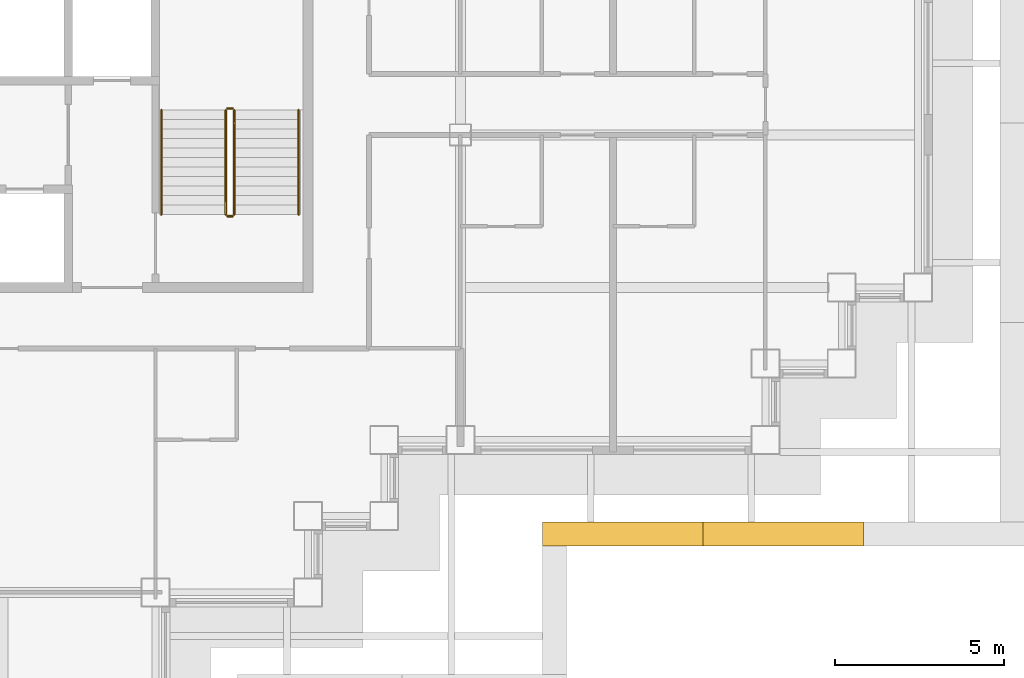
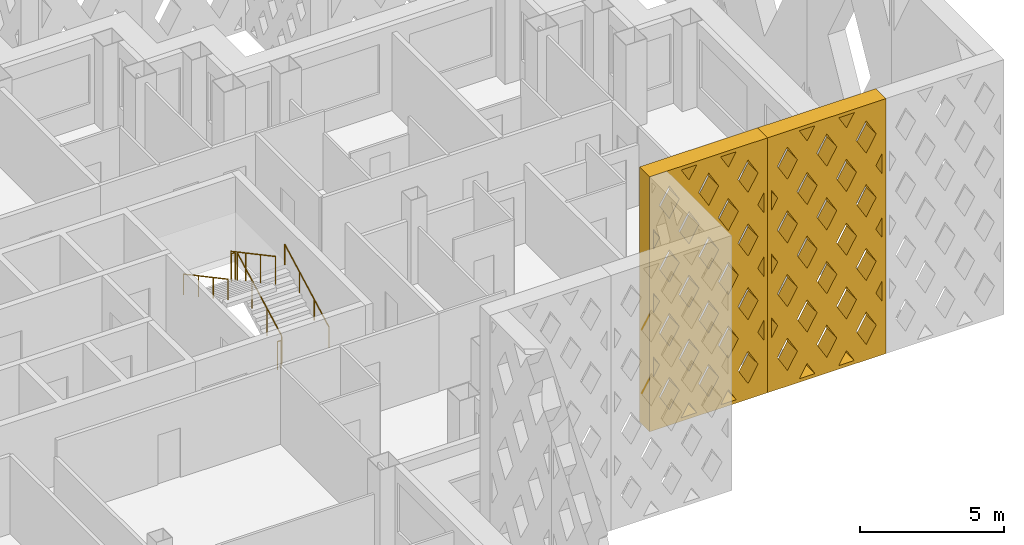
# One storey, part 18 of 21: 6 railings, 2 shading devices.
"""IFC4 building model written with IfcOpenShell, lengths in metres."""

from ifc_helpers import new_model, si_unit, direction, frame, origin, origin_2d, place, context, subcontext, project, spatial, polyline, circle, outline, extrude, material, type_object, element, save


model = new_model("IFC4")

# Units and contexts
model_context = context("Model", 3, precision=1e-05, world=origin(), true_north=direction((0.0, 1.0)))
body_context = subcontext(model_context, "Body", "Model", "MODEL_VIEW")
ifc_project = project(units=[si_unit("LENGTHUNIT", "METRE"), si_unit("AREAUNIT", "SQUARE_METRE"), si_unit("VOLUMEUNIT", "CUBIC_METRE"), si_unit("PLANEANGLEUNIT", "RADIAN"), si_unit("MASSUNIT", "GRAM", prefix="KILO")], contexts=[model_context])

# Site, building, storey
site_placement = place(None, origin())
site = spatial("IfcSite", under=ifc_project, at=site_placement, CompositionType="ELEMENT")
building_placement = place(site_placement, origin())
building = spatial("IfcBuilding", under=site, at=building_placement, Name="Caravel Reach Hotel and Residences", CompositionType="ELEMENT")
storey_placement = place(building_placement, frame((0.0, 0.0, 129.60009765625)))
storey = spatial("IfcBuildingStorey", under=building, at=storey_placement, Name="L32", CompositionType="ELEMENT", Elevation=129.60009765625)

# Shading devices
ifc_material_1 = material(Name="Black powder-coated aluminium", Category="aluminium")
shading_device_type = type_object("IfcShadingDeviceType", Name="Diamond lattice screen panel 4733 x 10800", PredefinedType="USERDEFINED", material=ifc_material_1)
shading_device_1_placement = place(storey_placement, frame((51.925048828125, 15.574951171875, 0.0), z_axis=(0.0, -1.0, 0.0), x_axis=(1.0, 0.0, 0.0)))
element("IfcShadingDevice", 1, at=shading_device_1_placement, inside=storey, type_object=shading_device_type, Name="Lattice screen L32-L34 6.1", ObjectType="SCREEN", PredefinedType="USERDEFINED", context=body_context, shape_type="SweptSolid", body=[
    extrude(outline(polyline([(0.0, 0.0), (4.7333984375, 0.0), (4.7333984375, 10.800048828125), (0.0, 10.800048828125), (0.0, 0.0)]), holes=[polyline([(0.4013671875, 2.699951171875), (0.14990234375, 3.130126953125), (0.14990234375, 2.269775390625), (0.4013671875, 2.699951171875)]), polyline([(0.4013671875, 5.39990234375), (0.14990234375, 5.830078125), (0.14990234375, 4.969970703125), (0.4013671875, 5.39990234375)]), polyline([(0.4013671875, 8.10009765625), (0.14990234375, 8.530029296875), (0.14990234375, 7.669921875), (0.4013671875, 8.10009765625)]), polyline([(0.788818359375, 2.036865234375), (0.387451171875, 1.35009765625), (0.788818359375, 0.6630859375), (1.190185546875, 1.35009765625), (0.788818359375, 2.036865234375)]), polyline([(0.788818359375, 4.73681640625), (0.387451171875, 4.050048828125), (0.788818359375, 3.36328125), (1.190185546875, 4.050048828125), (0.788818359375, 4.73681640625)]), polyline([(0.788818359375, 7.436767578125), (0.387451171875, 6.75), (0.788818359375, 6.063232421875), (1.190185546875, 6.75), (0.788818359375, 7.436767578125)]), polyline([(0.788818359375, 10.13671875), (0.387451171875, 9.449951171875), (0.788818359375, 8.76318359375), (1.190185546875, 9.449951171875), (0.788818359375, 10.13671875)]), polyline([(1.577880859375, 0.686767578125), (1.26416015625, 0.14990234375), (1.8916015625, 0.14990234375), (1.577880859375, 0.686767578125)]), polyline([(1.577880859375, 3.38671875), (1.176513671875, 2.699951171875), (1.577880859375, 2.01318359375), (1.979248046875, 2.699951171875), (1.577880859375, 3.38671875)]), polyline([(1.577880859375, 6.0869140625), (1.176513671875, 5.39990234375), (1.577880859375, 4.713134765625), (1.979248046875, 5.39990234375), (1.577880859375, 6.0869140625)]), polyline([(1.577880859375, 8.786865234375), (1.176513671875, 8.10009765625), (1.577880859375, 7.4130859375), (1.979248046875, 8.10009765625), (1.577880859375, 8.786865234375)]), polyline([(1.577880859375, 10.11328125), (1.8916015625, 10.64990234375), (1.26416015625, 10.64990234375), (1.577880859375, 10.11328125)]), polyline([(2.36669921875, 2.036865234375), (1.96533203125, 1.35009765625), (2.36669921875, 0.6630859375), (2.76806640625, 1.35009765625), (2.36669921875, 2.036865234375)]), polyline([(2.36669921875, 4.73681640625), (1.96533203125, 4.050048828125), (2.36669921875, 3.36328125), (2.76806640625, 4.050048828125), (2.36669921875, 4.73681640625)]), polyline([(2.36669921875, 7.436767578125), (1.96533203125, 6.75), (2.36669921875, 6.063232421875), (2.76806640625, 6.75), (2.36669921875, 7.436767578125)]), polyline([(2.36669921875, 10.13671875), (1.96533203125, 9.449951171875), (2.36669921875, 8.76318359375), (2.76806640625, 9.449951171875), (2.36669921875, 10.13671875)]), polyline([(3.155517578125, 0.686767578125), (2.841796875, 0.14990234375), (3.46923828125, 0.14990234375), (3.155517578125, 0.686767578125)]), polyline([(3.155517578125, 3.38671875), (2.754150390625, 2.699951171875), (3.155517578125, 2.01318359375), (3.556884765625, 2.699951171875), (3.155517578125, 3.38671875)]), polyline([(3.155517578125, 6.0869140625), (2.754150390625, 5.39990234375), (3.155517578125, 4.713134765625), (3.556884765625, 5.39990234375), (3.155517578125, 6.0869140625)]), polyline([(3.155517578125, 8.786865234375), (2.754150390625, 8.10009765625), (3.155517578125, 7.4130859375), (3.556884765625, 8.10009765625), (3.155517578125, 8.786865234375)]), polyline([(3.155517578125, 10.11328125), (3.46923828125, 10.64990234375), (2.841796875, 10.64990234375), (3.155517578125, 10.11328125)]), polyline([(3.9443359375, 2.036865234375), (3.54296875, 1.35009765625), (3.9443359375, 0.6630859375), (4.345703125, 1.35009765625), (3.9443359375, 2.036865234375)]), polyline([(3.9443359375, 4.73681640625), (3.54296875, 4.050048828125), (3.9443359375, 3.36328125), (4.345703125, 4.050048828125), (3.9443359375, 4.73681640625)]), polyline([(3.9443359375, 7.436767578125), (3.54296875, 6.75), (3.9443359375, 6.063232421875), (4.345703125, 6.75), (3.9443359375, 7.436767578125)]), polyline([(3.9443359375, 10.13671875), (3.54296875, 9.449951171875), (3.9443359375, 8.76318359375), (4.345703125, 9.449951171875), (3.9443359375, 10.13671875)]), polyline([(4.33203125, 2.699951171875), (4.583251953125, 2.269775390625), (4.583251953125, 3.130126953125), (4.33203125, 2.699951171875)]), polyline([(4.33203125, 5.39990234375), (4.583251953125, 4.969970703125), (4.583251953125, 5.830078125), (4.33203125, 5.39990234375)]), polyline([(4.33203125, 8.10009765625), (4.583251953125, 7.669921875), (4.583251953125, 8.530029296875), (4.33203125, 8.10009765625)])]), origin(), (0.0, 0.0, 1.0), 0.699951171875),
])
shading_device_2_placement = place(storey_placement, frame((56.658447265625, 15.574951171875, 0.0), z_axis=(0.0, -1.0, 0.0), x_axis=(1.0, 0.0, 0.0)))
element("IfcShadingDevice", 2, at=shading_device_2_placement, inside=storey, type_object=shading_device_type, Name="Lattice screen L32-L34 6.2", ObjectType="SCREEN", PredefinedType="USERDEFINED", context=body_context, shape_type="SweptSolid", body=[
    extrude(outline(polyline([(0.0, 0.0), (4.7333984375, 0.0), (4.7333984375, 10.800048828125), (0.0, 10.800048828125), (0.0, 0.0)]), holes=[polyline([(0.4013671875, 2.699951171875), (0.14990234375, 3.130126953125), (0.14990234375, 2.269775390625), (0.4013671875, 2.699951171875)]), polyline([(0.4013671875, 5.39990234375), (0.14990234375, 5.830078125), (0.14990234375, 4.969970703125), (0.4013671875, 5.39990234375)]), polyline([(0.4013671875, 8.10009765625), (0.14990234375, 8.530029296875), (0.14990234375, 7.669921875), (0.4013671875, 8.10009765625)]), polyline([(0.788818359375, 2.036865234375), (0.387451171875, 1.35009765625), (0.788818359375, 0.6630859375), (1.190185546875, 1.35009765625), (0.788818359375, 2.036865234375)]), polyline([(0.788818359375, 4.73681640625), (0.387451171875, 4.050048828125), (0.788818359375, 3.36328125), (1.190185546875, 4.050048828125), (0.788818359375, 4.73681640625)]), polyline([(0.788818359375, 7.436767578125), (0.387451171875, 6.75), (0.788818359375, 6.063232421875), (1.190185546875, 6.75), (0.788818359375, 7.436767578125)]), polyline([(0.788818359375, 10.13671875), (0.387451171875, 9.449951171875), (0.788818359375, 8.76318359375), (1.190185546875, 9.449951171875), (0.788818359375, 10.13671875)]), polyline([(1.577880859375, 0.686767578125), (1.26416015625, 0.14990234375), (1.8916015625, 0.14990234375), (1.577880859375, 0.686767578125)]), polyline([(1.577880859375, 3.38671875), (1.176513671875, 2.699951171875), (1.577880859375, 2.01318359375), (1.979248046875, 2.699951171875), (1.577880859375, 3.38671875)]), polyline([(1.577880859375, 6.0869140625), (1.176513671875, 5.39990234375), (1.577880859375, 4.713134765625), (1.979248046875, 5.39990234375), (1.577880859375, 6.0869140625)]), polyline([(1.577880859375, 8.786865234375), (1.176513671875, 8.10009765625), (1.577880859375, 7.4130859375), (1.979248046875, 8.10009765625), (1.577880859375, 8.786865234375)]), polyline([(1.577880859375, 10.11328125), (1.8916015625, 10.64990234375), (1.26416015625, 10.64990234375), (1.577880859375, 10.11328125)]), polyline([(2.36669921875, 2.036865234375), (1.96533203125, 1.35009765625), (2.36669921875, 0.6630859375), (2.76806640625, 1.35009765625), (2.36669921875, 2.036865234375)]), polyline([(2.36669921875, 4.73681640625), (1.96533203125, 4.050048828125), (2.36669921875, 3.36328125), (2.76806640625, 4.050048828125), (2.36669921875, 4.73681640625)]), polyline([(2.36669921875, 7.436767578125), (1.96533203125, 6.75), (2.36669921875, 6.063232421875), (2.76806640625, 6.75), (2.36669921875, 7.436767578125)]), polyline([(2.36669921875, 10.13671875), (1.96533203125, 9.449951171875), (2.36669921875, 8.76318359375), (2.76806640625, 9.449951171875), (2.36669921875, 10.13671875)]), polyline([(3.155517578125, 0.686767578125), (2.841796875, 0.14990234375), (3.46923828125, 0.14990234375), (3.155517578125, 0.686767578125)]), polyline([(3.155517578125, 3.38671875), (2.754150390625, 2.699951171875), (3.155517578125, 2.01318359375), (3.556884765625, 2.699951171875), (3.155517578125, 3.38671875)]), polyline([(3.155517578125, 6.0869140625), (2.754150390625, 5.39990234375), (3.155517578125, 4.713134765625), (3.556884765625, 5.39990234375), (3.155517578125, 6.0869140625)]), polyline([(3.155517578125, 8.786865234375), (2.754150390625, 8.10009765625), (3.155517578125, 7.4130859375), (3.556884765625, 8.10009765625), (3.155517578125, 8.786865234375)]), polyline([(3.155517578125, 10.11328125), (3.46923828125, 10.64990234375), (2.841796875, 10.64990234375), (3.155517578125, 10.11328125)]), polyline([(3.9443359375, 2.036865234375), (3.54296875, 1.35009765625), (3.9443359375, 0.6630859375), (4.345703125, 1.35009765625), (3.9443359375, 2.036865234375)]), polyline([(3.9443359375, 4.73681640625), (3.54296875, 4.050048828125), (3.9443359375, 3.36328125), (4.345703125, 4.050048828125), (3.9443359375, 4.73681640625)]), polyline([(3.9443359375, 7.436767578125), (3.54296875, 6.75), (3.9443359375, 6.063232421875), (4.345703125, 6.75), (3.9443359375, 7.436767578125)]), polyline([(3.9443359375, 10.13671875), (3.54296875, 9.449951171875), (3.9443359375, 8.76318359375), (4.345703125, 9.449951171875), (3.9443359375, 10.13671875)]), polyline([(4.33203125, 2.699951171875), (4.583251953125, 2.269775390625), (4.583251953125, 3.130126953125), (4.33203125, 2.699951171875)]), polyline([(4.33203125, 5.39990234375), (4.583251953125, 4.969970703125), (4.583251953125, 5.830078125), (4.33203125, 5.39990234375)]), polyline([(4.33203125, 8.10009765625), (4.583251953125, 7.669921875), (4.583251953125, 8.530029296875), (4.33203125, 8.10009765625)])]), origin(), (0.0, 0.0, 1.0), 0.699951171875),
])

# Railings
ifc_material_2 = material(Name="Steel balustrade with glass infill", Category="steel")
railing_type_1 = type_object("IfcRailingType", Name="Guard 1200", PredefinedType="GUARDRAIL", material=ifc_material_2)
railing_1_placement = place(storey_placement, frame((42.824951171875, 24.64990234375, 0.14990234375)))
element("IfcRailing", 3, at=railing_1_placement, inside=storey, type_object=railing_type_1, Name="L32 ST-B stair guard 1", PredefinedType="GUARDRAIL", context=body_context, shape_type="SweptSolid", body=[
    extrude(circle(Radius=0.02392578125, at=origin_2d()), frame((0.0, 0.0, 1.17578125), z_axis=(0.0, 0.881496589024, 0.472190389079), x_axis=(-1.0, 0.0, 0.0)), (0.0, 0.0, 1.0), 3.494140625),
    extrude(circle(Radius=0.02099609375, at=origin_2d()), origin(), (0.0, 0.0, 1.0), 1.15185546875),
    extrude(circle(Radius=0.02099609375, at=origin_2d()), frame((0.0, 1.026611328125, 0.550048828125)), (0.0, 0.0, 1.0), 1.15185546875),
    extrude(circle(Radius=0.02099609375, at=origin_2d()), frame((0.0, 2.053466796875, 1.099853515625)), (0.0, 0.0, 1.0), 1.15185546875),
    extrude(circle(Radius=0.02099609375, at=origin_2d()), frame((0.0, 3.080078125, 1.64990234375)), (0.0, 0.0, 1.0), 1.15185546875),
])
railing_2_placement = place(storey_placement, frame((42.77490234375, 27.780029296875, 1.7998046875)))
element("IfcRailing", 4, at=railing_2_placement, inside=storey, type_object=railing_type_1, Name="L32 ST-B stair guard 2", PredefinedType="GUARDRAIL", context=body_context, shape_type="SweptSolid", body=[
    extrude(circle(Radius=0.02392578125, at=origin_2d()), frame((0.0, 0.0, 1.17578125), z_axis=(-1.0, 0.0, 0.0), x_axis=(0.0, -1.0, 0.0)), (0.0, 0.0, 1.0), 0.14990234375),
    extrude(circle(Radius=0.02099609375, at=origin_2d()), origin(), (0.0, 0.0, 1.0), 1.15185546875),
    extrude(circle(Radius=0.02099609375, at=origin_2d()), frame((-0.14990234375, 0.0, 0.0)), (0.0, 0.0, 1.0), 1.15185546875),
])
railing_3_placement = place(storey_placement, frame((42.574951171875, 27.72998046875, 1.949951171875)))
element("IfcRailing", 5, at=railing_3_placement, inside=storey, type_object=railing_type_1, Name="L32 ST-B stair guard 3", PredefinedType="GUARDRAIL", context=body_context, shape_type="SweptSolid", body=[
    extrude(circle(Radius=0.02392578125, at=origin_2d()), frame((0.0, 0.0, 1.17578125), z_axis=(0.0, -0.881496589024, 0.472190389079), x_axis=(1.0, 0.0, 0.0)), (0.0, 0.0, 1.0), 3.494140625),
    extrude(circle(Radius=0.02099609375, at=origin_2d()), origin(), (0.0, 0.0, 1.0), 1.15185546875),
    extrude(circle(Radius=0.02099609375, at=origin_2d()), frame((0.0, -1.026611328125, 0.550048828125)), (0.0, 0.0, 1.0), 1.15185546875),
    extrude(circle(Radius=0.02099609375, at=origin_2d()), frame((0.0, -2.053466796875, 1.099853515625)), (0.0, 0.0, 1.0), 1.15185546875),
    extrude(circle(Radius=0.02099609375, at=origin_2d()), frame((0.0, -3.080078125, 1.64990234375)), (0.0, 0.0, 1.0), 1.15185546875),
])
railing_4_placement = place(storey_placement, frame((42.77490234375, 24.60009765625, 0.0)))
element("IfcRailing", 6, at=railing_4_placement, inside=storey, type_object=railing_type_1, Name="L32 ST-B stair guard 4", PredefinedType="GUARDRAIL", context=body_context, shape_type="SweptSolid", body=[
    extrude(circle(Radius=0.02392578125, at=origin_2d()), frame((0.0, 0.0, 1.17578125), z_axis=(-1.0, 0.0, 0.0), x_axis=(0.0, -1.0, 0.0)), (0.0, 0.0, 1.0), 0.14990234375),
    extrude(circle(Radius=0.02099609375, at=origin_2d()), origin(), (0.0, 0.0, 1.0), 1.15185546875),
    extrude(circle(Radius=0.02099609375, at=origin_2d()), frame((-0.14990234375, 0.0, 0.0)), (0.0, 0.0, 1.0), 1.15185546875),
])
ifc_material_3 = material(Name="Stainless steel handrail", Category="steel")
railing_type_2 = type_object("IfcRailingType", Name="Handrail 900", PredefinedType="HANDRAIL", material=ifc_material_3)
railing_5_placement = place(storey_placement, frame((44.72509765625, 24.64990234375, 0.14990234375)))
element("IfcRailing", 7, at=railing_5_placement, inside=storey, type_object=railing_type_2, Name="L32 ST-B stair handrail 1", PredefinedType="HANDRAIL", context=body_context, shape_type="SweptSolid", body=[
    extrude(circle(Radius=0.02392578125, at=origin_2d()), frame((0.0, 0.0, 0.8759765625), z_axis=(0.0, 0.881496589024, 0.472190389079), x_axis=(-1.0, 0.0, 0.0)), (0.0, 0.0, 1.0), 3.494140625),
    extrude(circle(Radius=0.02099609375, at=origin_2d()), origin(), (0.0, 0.0, 1.0), 0.851806640625),
    extrude(circle(Radius=0.02099609375, at=origin_2d()), frame((0.0, 1.026611328125, 0.550048828125)), (0.0, 0.0, 1.0), 0.851806640625),
    extrude(circle(Radius=0.02099609375, at=origin_2d()), frame((0.0, 2.053466796875, 1.099853515625)), (0.0, 0.0, 1.0), 0.851806640625),
    extrude(circle(Radius=0.02099609375, at=origin_2d()), frame((0.0, 3.080078125, 1.64990234375)), (0.0, 0.0, 1.0), 0.851806640625),
])
railing_6_placement = place(storey_placement, frame((40.675048828125, 27.72998046875, 1.949951171875)))
element("IfcRailing", 8, at=railing_6_placement, inside=storey, type_object=railing_type_2, Name="L32 ST-B stair handrail 2", PredefinedType="HANDRAIL", context=body_context, shape_type="SweptSolid", body=[
    extrude(circle(Radius=0.02392578125, at=origin_2d()), frame((0.0, 0.0, 0.8759765625), z_axis=(0.0, -0.881496589024, 0.472190389079), x_axis=(1.0, 0.0, 0.0)), (0.0, 0.0, 1.0), 3.494140625),
    extrude(circle(Radius=0.02099609375, at=origin_2d()), origin(), (0.0, 0.0, 1.0), 0.851806640625),
    extrude(circle(Radius=0.02099609375, at=origin_2d()), frame((0.0, -1.026611328125, 0.550048828125)), (0.0, 0.0, 1.0), 0.851806640625),
    extrude(circle(Radius=0.02099609375, at=origin_2d()), frame((0.0, -2.053466796875, 1.099853515625)), (0.0, 0.0, 1.0), 0.851806640625),
    extrude(circle(Radius=0.02099609375, at=origin_2d()), frame((0.0, -3.080078125, 1.64990234375)), (0.0, 0.0, 1.0), 0.851806640625),
])

save(model, "model.ifc")
